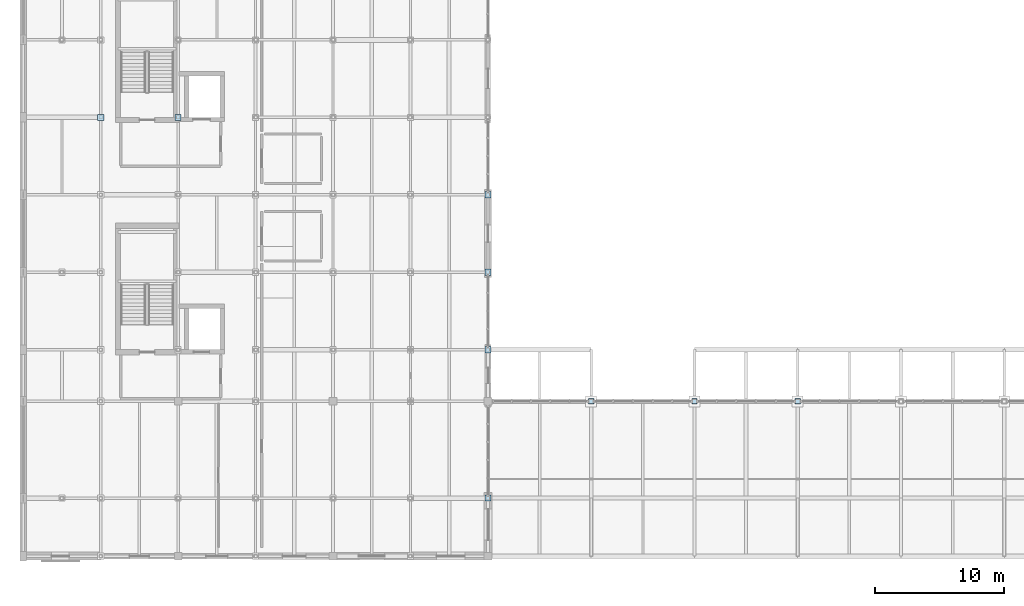
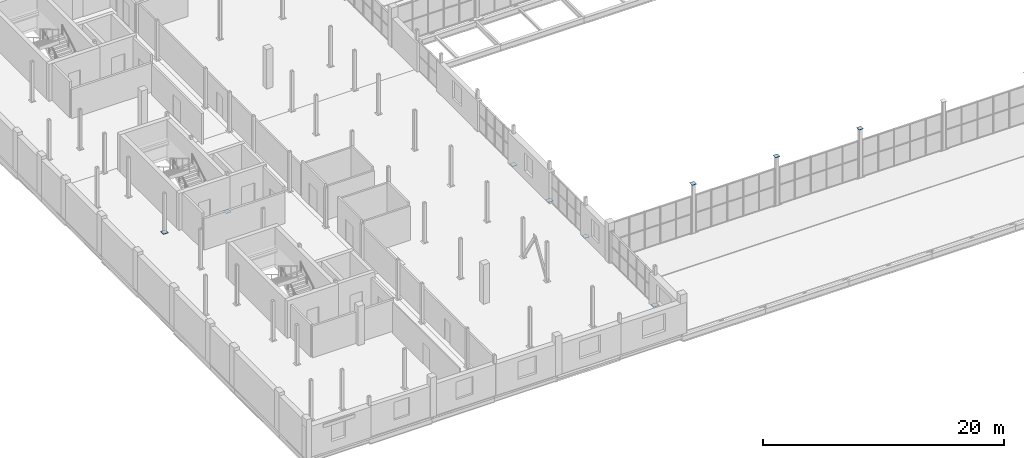
# One storey, part 82 of 96: 9 plates.
"""IFC4 building model written with IfcOpenShell, lengths in metres."""

from ifc_helpers import new_model, si_unit, direction, frame, origin, origin_2d, place, context, subcontext, project, spatial, rectangle, extrude, material, layer, layer_set, type_object, element, save


model = new_model("IFC4")

# Units and contexts
model_context = context("Model", 3, precision=1e-05, world=origin(), true_north=direction((0.0, 1.0)))
body_context = subcontext(model_context, "Body", "Model", "MODEL_VIEW")
ifc_project = project(units=[si_unit("LENGTHUNIT", "METRE"), si_unit("AREAUNIT", "SQUARE_METRE"), si_unit("VOLUMEUNIT", "CUBIC_METRE"), si_unit("PLANEANGLEUNIT", "RADIAN"), si_unit("MASSUNIT", "GRAM", prefix="KILO")], contexts=[model_context])

# Site, building, storey
site_placement = place(None, origin())
site = spatial("IfcSite", under=ifc_project, at=site_placement, CompositionType="ELEMENT")
building_placement = place(site_placement, origin())
building = spatial("IfcBuilding", under=site, at=building_placement, Name="Verrall Gate Interchange", CompositionType="ELEMENT")
storey_placement = place(building_placement, frame((0.0, 0.0, 11.39990234375)))
storey = spatial("IfcBuildingStorey", under=building, at=storey_placement, Name="L03", CompositionType="ELEMENT", Elevation=11.39990234375)

# Plates
ifc_material = material(Name="Structural Steel CSA G40.21 350WT Cat 4", Category="steel")
ifc_layer = layer(ifc_material, 0.0400390625)
ifc_layer_set = layer_set([ifc_layer], Name="Structural Steel CSA G40.21 350WT Cat 4")
plate_type = type_object("IfcPlateType", Name="BP-01 Base Plate 40", PredefinedType="USERDEFINED", material=ifc_layer_set)
for number, where, z_axis, x_axis, name in (
    (1, (6.0, 34.0, -0.02001953125), (0.0, 0.0, 1.0), (1.0, 0.0, 0.0), "L03 Hollow Column Transition Cap Plate 0184"),
    (2, (12.0, 34.0, -0.02001953125), (0.0, 0.0, 1.0), (1.0, 0.0, 0.0), "L03 Hollow Column Transition Cap Plate 0301"),
    (3, (36.0, 4.5, -0.02001953125), (0.0, 0.0, 1.0), (1.0, 0.0, 0.0), "L03 Hollow Column Transition Cap Plate 0725"),
    (4, (36.0, 16.0, -0.02001953125), (0.0, 0.0, 1.0), (1.0, 0.0, 0.0), "L03 Hollow Column Transition Cap Plate 0741"),
    (5, (36.0, 22.0, -0.02001953125), (0.0, 0.0, 1.0), (1.0, 0.0, 0.0), "L03 Hollow Column Transition Cap Plate 0749"),
    (6, (36.0, 28.0, -0.02001953125), (0.0, 0.0, 1.0), (1.0, 0.0, 0.0), "L03 Hollow Column Transition Cap Plate 0757"),
):
    element("IfcPlate", number, at=place(storey_placement, frame(where, z_axis=z_axis, x_axis=x_axis)), inside=storey, type_object=plate_type, Name=name, ObjectType="BASE_PLATE", PredefinedType="USERDEFINED", context=body_context, shape_type="SweptSolid", body=[
        extrude(rectangle(XDim=0.47998046875, YDim=0.47998046875, at=origin_2d()), origin(), (0.0, 0.0, 1.0), 0.0400390625),
    ])
for number, where, z_axis, x_axis, name in (
    (7, (44.0, 12.0, 4.9599609375), (0.0, 0.0, 1.0), (1.0, 0.0, 0.0), "Concourse Pier Top Cap Plate 1511"),
    (8, (52.0, 12.0, 4.9599609375), (0.0, 0.0, 1.0), (1.0, 0.0, 0.0), "Concourse Pier Top Cap Plate 1513"),
    (9, (60.0, 12.0, 4.9599609375), (0.0, 0.0, 1.0), (1.0, 0.0, 0.0), "Concourse Pier Top Cap Plate 1515"),
):
    element("IfcPlate", number, at=place(storey_placement, frame(where, z_axis=z_axis, x_axis=x_axis)), inside=storey, type_object=plate_type, Name=name, ObjectType="BASE_PLATE", PredefinedType="USERDEFINED", context=body_context, shape_type="SweptSolid", body=[
        extrude(rectangle(XDim=0.419921875, YDim=0.419921875, at=origin_2d()), origin(), (0.0, 0.0, 1.0), 0.0400390625),
    ])

save(model, "model.ifc")
